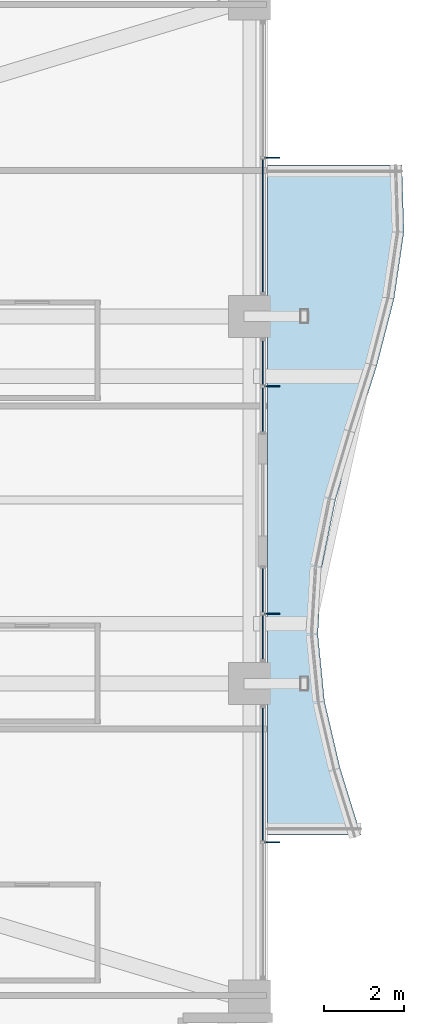
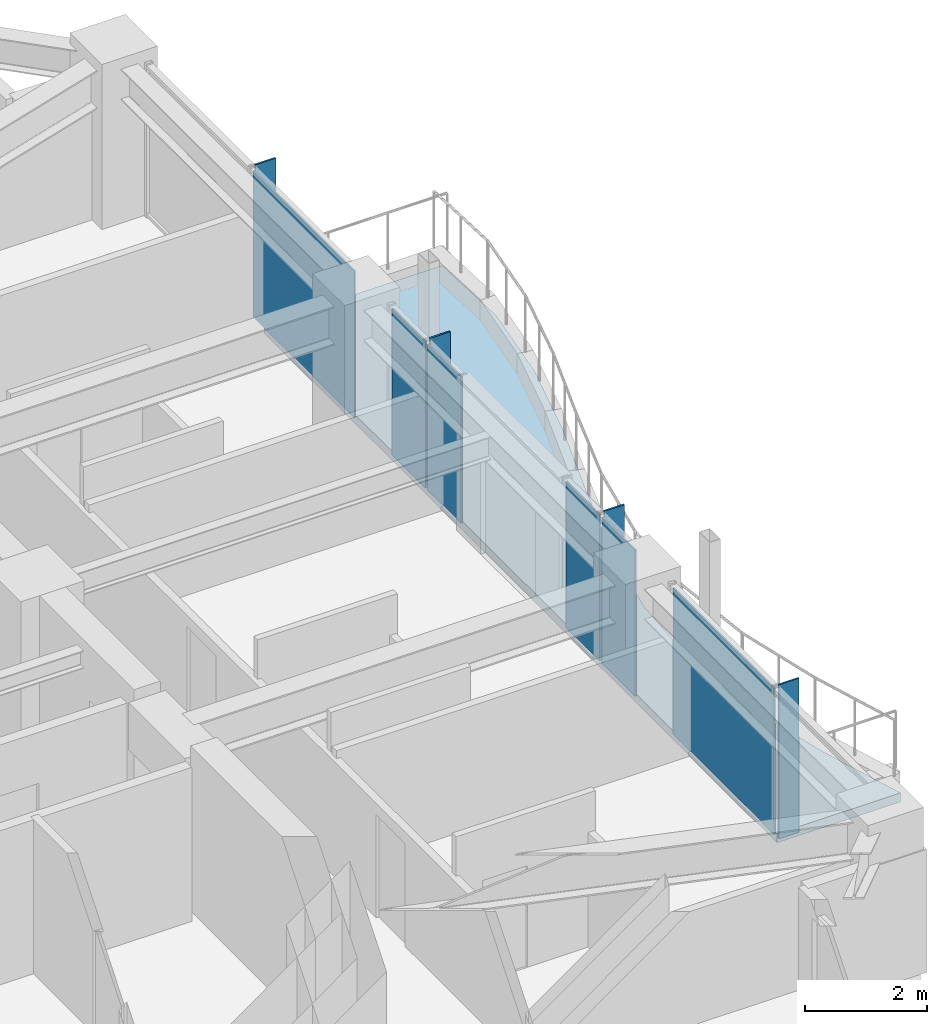
# One storey, part 29 of 38: 10 plates, 1 slab, 4 elements without a shape of their own.
"""IFC4 building model written with IfcOpenShell, lengths in metres."""

from ifc_helpers import new_model, si_unit, direction, frame, origin, origin_2d, place, context, subcontext, project, spatial, polyline, rectangle, outline, extrude, material, layer, layer_set, type_object, element, aggregate, save


model = new_model("IFC4")

# Units and contexts
model_context = context("Model", 3, precision=1e-05, world=origin(), true_north=direction((0.0, 1.0)))
body_context = subcontext(model_context, "Body", "Model", "MODEL_VIEW")
ifc_project = project(units=[si_unit("LENGTHUNIT", "METRE"), si_unit("AREAUNIT", "SQUARE_METRE"), si_unit("VOLUMEUNIT", "CUBIC_METRE"), si_unit("PLANEANGLEUNIT", "RADIAN"), si_unit("MASSUNIT", "GRAM", prefix="KILO")], contexts=[model_context])

# Site, building, storey
site_placement = place(None, origin())
site = spatial("IfcSite", under=ifc_project, at=site_placement, CompositionType="ELEMENT")
building_placement = place(site_placement, origin())
building = spatial("IfcBuilding", under=site, at=building_placement, Name="Kolvaren Belvedere", CompositionType="ELEMENT")
storey_placement = place(building_placement, frame((0.0, 0.0, 121.699951171875)))
storey = spatial("IfcBuildingStorey", under=building, at=storey_placement, Name="L35", CompositionType="ELEMENT", Elevation=121.699951171875)

# Curtain wall, plate
ifc_material_1 = material(Name="Anodised pale-metal aluminium AA 6063-T6", Category="aluminium")
curtain_wall_type = type_object("IfcCurtainWallType", Name="CW-Z3-WAIST", PredefinedType="NOTDEFINED", material=ifc_material_1)
curtain_wall_1_placement = place(storey_placement, origin())
curtain_wall_1 = element("IfcCurtainWall", 1, at=curtain_wall_1_placement, inside=storey, type_object=curtain_wall_type, Name="L35 Unitised Curtain Wall FCW-L35-E1-B1", PredefinedType="NOTDEFINED")
ifc_material_2 = material(Name="Low-iron triple insulated glass", Category="glass")
ifc_layer_1 = layer(ifc_material_2, 0.028076171875)
ifc_layer_set_1 = layer_set([ifc_layer_1], Name="Low-iron triple insulated glass")
plate_type_1 = type_object("IfcPlateType", Name="CW-PNL-VIS28", PredefinedType="CURTAIN_PANEL", material=ifc_layer_set_1)
plate_1_placement = place(storey_placement, frame((18.97998046875, 6.876220703125, 0.080078125), z_axis=(0.0, 0.0, 1.0), x_axis=(0.0, -1.0, 0.0)))
plate_1 = element("IfcPlate", 2, at=plate_1_placement, type_object=plate_type_1, Name="FCW-L35-E1-B1 Vision Glazing Panel 2", PredefinedType="CURTAIN_PANEL", context=body_context, shape_type="SweptSolid", body=[
    extrude(rectangle(XDim=3.3173828125, YDim=0.028076171875, at=origin_2d()), origin(), (0.0, 0.0, 1.0), 2.919921875),
])
aggregate(curtain_wall_1, [plate_1])

# Curtain wall, plates
curtain_wall_2_placement = place(storey_placement, origin())
curtain_wall_2 = element("IfcCurtainWall", 3, at=curtain_wall_2_placement, inside=storey, type_object=curtain_wall_type, Name="L35 Unitised Curtain Wall FCW-L35-E1-B2", PredefinedType="NOTDEFINED")
plate_2_placement = place(storey_placement, frame((18.97998046875, 3.43701171875, 0.080078125), z_axis=(0.0, 0.0, 1.0), x_axis=(0.0, -1.0, 0.0)))
plate_2 = element("IfcPlate", 4, at=plate_2_placement, type_object=plate_type_1, Name="FCW-L35-E1-B2 Vision Glazing Panel 1", PredefinedType="CURTAIN_PANEL", context=body_context, shape_type="SweptSolid", body=[
    extrude(rectangle(XDim=1.09130859375, YDim=0.028076171875, at=origin_2d()), origin(), (0.0, 0.0, 1.0), 2.919921875),
])
plate_3_placement = place(storey_placement, frame((18.97998046875, 2.265625, 0.080078125), z_axis=(0.0, 0.0, 1.0), x_axis=(0.0, -1.0, 0.0)))
plate_3 = element("IfcPlate", 5, at=plate_3_placement, type_object=plate_type_1, Name="FCW-L35-E1-B2 Vision Glazing Panel 2", PredefinedType="CURTAIN_PANEL", context=body_context, shape_type="SweptSolid", body=[
    extrude(rectangle(XDim=1.09130859375, YDim=0.028076171875, at=origin_2d()), origin(), (0.0, 0.0, 1.0), 2.919921875),
])
aggregate(curtain_wall_2, [plate_2, plate_3])

curtain_wall_3_placement = place(storey_placement, origin())
curtain_wall_3 = element("IfcCurtainWall", 6, at=curtain_wall_3_placement, inside=storey, type_object=curtain_wall_type, Name="L35 Unitised Curtain Wall FCW-L35-E2-B1", PredefinedType="NOTDEFINED")
plate_4_placement = place(storey_placement, frame((18.97998046875, -2.265625, 0.080078125), z_axis=(0.0, 0.0, 1.0), x_axis=(0.0, -1.0, 0.0)))
plate_4 = element("IfcPlate", 7, at=plate_4_placement, type_object=plate_type_1, Name="FCW-L35-E2-B1 Vision Glazing Panel 1", PredefinedType="CURTAIN_PANEL", context=body_context, shape_type="SweptSolid", body=[
    extrude(rectangle(XDim=1.09130859375, YDim=0.028076171875, at=origin_2d()), origin(), (0.0, 0.0, 1.0), 2.919921875),
])
plate_5_placement = place(storey_placement, frame((18.97998046875, -3.43701171875, 0.080078125), z_axis=(0.0, 0.0, 1.0), x_axis=(0.0, -1.0, 0.0)))
plate_5 = element("IfcPlate", 8, at=plate_5_placement, type_object=plate_type_1, Name="FCW-L35-E2-B1 Vision Glazing Panel 2", PredefinedType="CURTAIN_PANEL", context=body_context, shape_type="SweptSolid", body=[
    extrude(rectangle(XDim=1.09130859375, YDim=0.028076171875, at=origin_2d()), origin(), (0.0, 0.0, 1.0), 2.919921875),
])
aggregate(curtain_wall_3, [plate_4, plate_5])

# Curtain wall, plate
curtain_wall_4_placement = place(storey_placement, origin())
curtain_wall_4 = element("IfcCurtainWall", 9, at=curtain_wall_4_placement, inside=storey, type_object=curtain_wall_type, Name="L35 Unitised Curtain Wall FCW-L35-E2-B2", PredefinedType="NOTDEFINED")
plate_6_placement = place(storey_placement, frame((18.97998046875, -6.876220703125, 0.080078125), z_axis=(0.0, 0.0, 1.0), x_axis=(0.0, -1.0, 0.0)))
plate_6 = element("IfcPlate", 10, at=plate_6_placement, type_object=plate_type_1, Name="FCW-L35-E2-B2 Vision Glazing Panel 1", PredefinedType="CURTAIN_PANEL", context=body_context, shape_type="SweptSolid", body=[
    extrude(rectangle(XDim=3.3173828125, YDim=0.028076171875, at=origin_2d()), origin(), (0.0, 0.0, 1.0), 2.919921875),
])
aggregate(curtain_wall_4, [plate_6])

# Plates
ifc_material_3 = material(Name="Anodised pale-metal aluminium AA 6063-T6", Category="aluminium")
ifc_layer_2 = layer(ifc_material_3, 0.033935546875)
ifc_layer_set_2 = layer_set([ifc_layer_2], Name="Anodised pale-metal aluminium AA 6063-T6")
plate_type_2 = type_object("IfcPlateType", Name="FIN-VERT-380", PredefinedType="USERDEFINED", material=ifc_layer_set_2)
for number, where, z_axis, x_axis, name in (
    (11, (19.219970703125, 8.574951171875, 0.0), (0.0, 0.0, 1.0), (1.0, 0.0, 0.0), "L35 Pale-Metal Vertical Shading Fin FCW-L35-E1-B1-1"),
    (12, (19.219970703125, 2.851318359375, 0.0), (0.0, 0.0, 1.0), (1.0, 0.0, 0.0), "L35 Pale-Metal Vertical Shading Fin FCW-L35-E1-B2-1"),
    (13, (19.219970703125, -2.851318359375, 0.0), (0.0, 0.0, 1.0), (1.0, 0.0, 0.0), "L35 Pale-Metal Vertical Shading Fin FCW-L35-E2-B1-1"),
    (14, (19.219970703125, -8.574951171875, 0.0), (0.0, 0.0, 1.0), (1.0, 0.0, 0.0), "L35 Pale-Metal Vertical Shading Fin FCW-L35-E2-B2-1"),
):
    element("IfcPlate", number, at=place(storey_placement, frame(where, z_axis=z_axis, x_axis=x_axis)), inside=storey, type_object=plate_type_2, Name=name, ObjectType="VERTICAL FIN", PredefinedType="USERDEFINED", context=body_context, shape_type="SweptSolid", body=[
        extrude(rectangle(XDim=0.3798828125, YDim=0.033935546875, at=origin_2d()), origin(), (0.0, 0.0, 1.0), 3.080078125),
    ])

# Slab
ifc_material_4 = material(Name="Concrete C50/60", Category="concrete")
ifc_layer_3 = layer(ifc_material_4, 0.179931640625)
ifc_layer_set_3 = layer_set([ifc_layer_3], Name="Concrete C50/60")
slab_type = type_object("IfcSlabType", Name="SL-BAL-180", PredefinedType="FLOOR", material=ifc_layer_set_3)
slab_placement = place(storey_placement, frame((0.0, 0.0, -0.219970703125)))
element("IfcSlab", 15, at=slab_placement, inside=storey, type_object=slab_type, Name="L35 Planted Balcony BAL-E", PredefinedType="FLOOR", context=body_context, shape_type="SweptSolid", body=[
    extrude(outline(polyline([(21.43994140625, -8.39990234375), (20.919677734375, -6.719970703125), (20.528076171875, -5.0400390625), (20.362060546875, -3.360107421875), (20.462890625, -1.679931640625), (20.80517578125, 0.0), (21.3046875, 1.679931640625), (21.837646484375, 3.360107421875), (22.272216796875, 5.0400390625), (22.52001953125, 6.719970703125), (22.467041015625, 8.39990234375), (19.10009765625, 8.39990234375), (19.10009765625, 6.719970703125), (19.10009765625, 5.0400390625), (19.10009765625, 3.360107421875), (19.10009765625, 1.679931640625), (19.10009765625, 0.0), (19.10009765625, -1.679931640625), (19.10009765625, -3.360107421875), (19.10009765625, -5.0400390625), (19.10009765625, -6.719970703125), (19.10009765625, -8.39990234375), (21.43994140625, -8.39990234375)])), origin(), (0.0, 0.0, 1.0), 0.179931640625),
])

save(model, "model.ifc")
